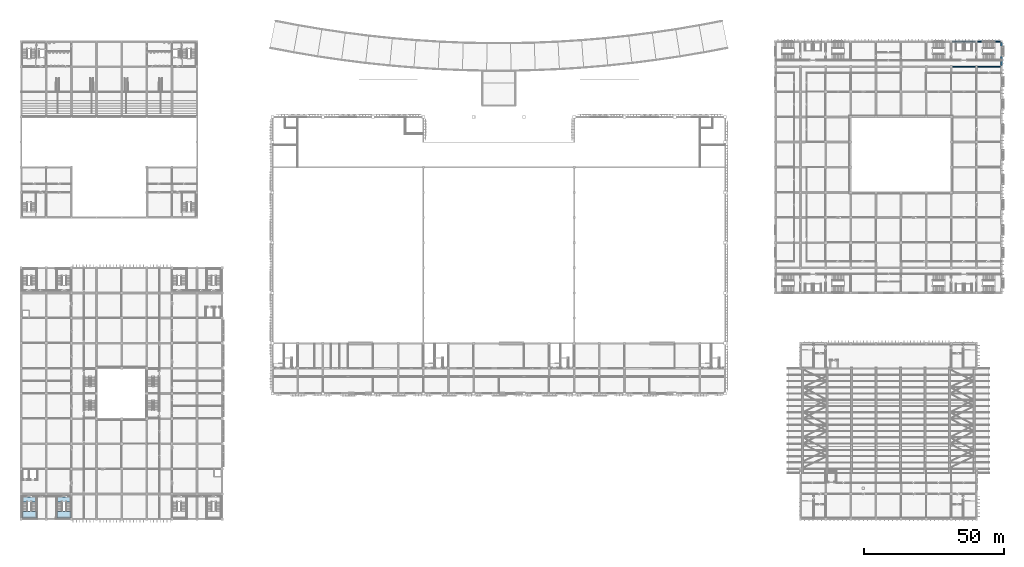
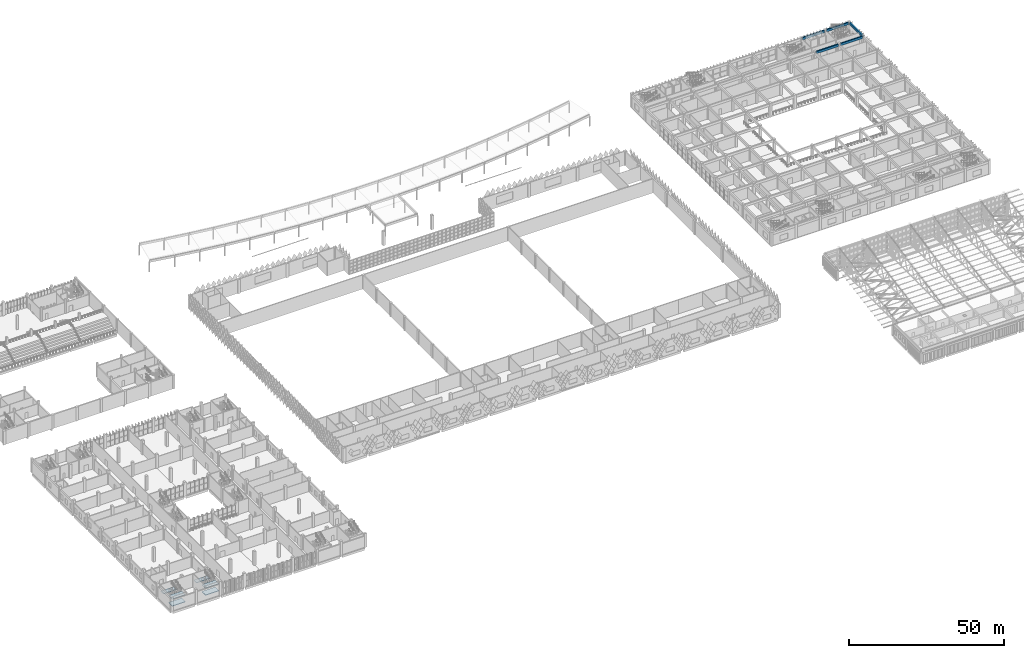
# One storey, part 84 of 185: 6 slabs, 5 beams, 2 elements without a shape of their own.
"""IFC4 building model written with IfcOpenShell, lengths in metres."""

from ifc_helpers import new_model, si_unit, direction, frame, origin, origin_2d, place, context, subcontext, project, spatial, polyline, rectangle, outline, extrude, material, layer, layer_set, material_profile, profile_set, type_object, element, aggregate, save


model = new_model("IFC4")

# Units and contexts
model_context = context("Model", 3, precision=1e-05, world=origin(), true_north=direction((0.0, 1.0)))
body_context = subcontext(model_context, "Body", "Model", "MODEL_VIEW")
ifc_project = project(units=[si_unit("LENGTHUNIT", "METRE"), si_unit("AREAUNIT", "SQUARE_METRE"), si_unit("VOLUMEUNIT", "CUBIC_METRE"), si_unit("PLANEANGLEUNIT", "RADIAN"), si_unit("MASSUNIT", "GRAM", prefix="KILO")], contexts=[model_context])

# Site, building, storey
site_placement = place(None, origin())
site = spatial("IfcSite", under=ifc_project, at=site_placement, CompositionType="ELEMENT")
building_placement = place(site_placement, origin())
building = spatial("IfcBuilding", under=site, at=building_placement, Name="Opaline Strait Convention Centre", CompositionType="ELEMENT")
storey_placement = place(building_placement, frame((0.0, 0.0, 6.0)))
storey = spatial("IfcBuildingStorey", under=building, at=storey_placement, Name="L01", CompositionType="ELEMENT", Elevation=6.0)

# Beams
ifc_material_1 = material(Name="Concrete C35", Category="concrete")
ifc_material_profile_1 = material_profile(ifc_material_1, rectangle(XDim=0.449951171875, YDim=0.89990234375, at=origin_2d()), Name="RC 450x900")
ifc_profile_set_1 = profile_set([ifc_material_profile_1], Name="Concrete C35")
beam_type_1 = type_object("IfcBeamType", Name="RC beam 450x900 C35", PredefinedType="BEAM", material=ifc_profile_set_1)
for number, where, z_axis, x_axis, name in (
    (1, (342.39990234375, 171.0, 4.77001953125), (1.0, 0.0, 0.0), (0.0, 1.0, 0.0), "XB1 L01 39/V-40/V"),
    (2, (351.39990234375, 171.0, 4.77001953125), (1.0, 0.0, 0.0), (0.0, 1.0, 0.0), "XB1 L01 40/V-41/V"),
):
    element("IfcBeam", number, at=place(storey_placement, frame(where, z_axis=z_axis, x_axis=x_axis)), inside=storey, type_object=beam_type_1, Name=name, PredefinedType="BEAM", context=body_context, shape_type="SweptSolid", body=[
        extrude(rectangle(XDim=0.449951171875, YDim=0.89990234375, at=origin_2d()), origin(), (0.0, 0.0, 1.0), 8.2001953125),
    ])
ifc_material_profile_2 = material_profile(ifc_material_1, rectangle(XDim=0.5, YDim=0.89990234375, at=origin_2d()), Name="RC 500x900")
ifc_profile_set_2 = profile_set([ifc_material_profile_2], Name="Concrete C35")
beam_type_2 = type_object("IfcBeamType", Name="RC edge beam 500x900 C35", PredefinedType="BEAM", material=ifc_profile_set_2)
for number, where, z_axis, x_axis, name in (
    (3, (342.39990234375, 180.0, 4.77001953125), (1.0, 0.0, 0.0), (0.0, 1.0, 0.0), "MRB2 L01 39/W-40/W"),
    (4, (351.39990234375, 180.0, 4.77001953125), (1.0, 0.0, 0.0), (0.0, 1.0, 0.0), "MRB2 L01 40/W-41/W"),
    (5, (360.0, 171.39990234375, 4.77001953125), (0.0, 1.0, 0.0), (-1.0, 0.0, 0.0), "MRB2 L01 41/V-41/W"),
):
    element("IfcBeam", number, at=place(storey_placement, frame(where, z_axis=z_axis, x_axis=x_axis)), inside=storey, type_object=beam_type_2, Name=name, PredefinedType="BEAM", context=body_context, shape_type="SweptSolid", body=[
        extrude(rectangle(XDim=0.5, YDim=0.89990234375, at=origin_2d()), origin(), (0.0, 0.0, 1.0), 8.2001953125),
    ])

# Stair, slabs
ifc_material_2 = material(Name="Concrete C40", Category="concrete")
stair_type = type_object("IfcStairType", Name="Exit stair two flights 1800 C40", PredefinedType="HALF_TURN_STAIR", material=ifc_material_2)
stair_1_placement = place(storey_placement, origin())
stair_1 = element("IfcStair", 6, at=stair_1_placement, inside=storey, type_object=stair_type, Name="L01 SWA", ObjectType="RST1", PredefinedType="HALF_TURN_STAIR")
ifc_layer = layer(ifc_material_2, 0.199951171875)
ifc_layer_set = layer_set([ifc_layer], Name="Concrete C40")
slab_type = type_object("IfcSlabType", Name="Stair landing 200 C40", PredefinedType="LANDING", material=ifc_layer_set)
slab_1_placement = place(storey_placement, frame((0.0, 0.0, 1.175048828125)))
slab_1 = element("IfcSlab", 7, at=slab_1_placement, type_object=slab_type, Name="SWA landing 1", ObjectType="RSL1", PredefinedType="LANDING", context=body_context, shape_type="SweptSolid", body=[
    extrude(outline(polyline([(9.5, 11.840087890625), (9.5, 9.5), (14.449951171875, 9.5), (14.449951171875, 11.840087890625), (9.5, 11.840087890625)])), origin(), (0.0, 0.0, 1.0), 0.199951171875),
])
slab_2_placement = place(storey_placement, frame((0.0, 0.0, 2.550048828125)))
slab_2 = element("IfcSlab", 8, at=slab_2_placement, type_object=slab_type, Name="SWA landing 2", ObjectType="RSL1", PredefinedType="LANDING", context=body_context, shape_type="SweptSolid", body=[
    extrude(outline(polyline([(9.5, 17.0), (9.5, 15.199951171875), (14.449951171875, 15.199951171875), (14.449951171875, 17.0), (9.5, 17.0)])), origin(), (0.0, 0.0, 1.0), 0.199951171875),
])
slab_3_placement = place(storey_placement, frame((0.0, 0.0, 3.925048828125)))
slab_3 = element("IfcSlab", 9, at=slab_3_placement, type_object=slab_type, Name="SWA landing 3", ObjectType="RSL1", PredefinedType="LANDING", context=body_context, shape_type="SweptSolid", body=[
    extrude(outline(polyline([(9.5, 11.840087890625), (9.5, 9.5), (14.449951171875, 9.5), (14.449951171875, 11.840087890625), (9.5, 11.840087890625)])), origin(), (0.0, 0.0, 1.0), 0.199951171875),
])
aggregate(stair_1, [slab_1, slab_2, slab_3])

stair_2_placement = place(storey_placement, origin())
stair_2 = element("IfcStair", 10, at=stair_2_placement, inside=storey, type_object=stair_type, Name="L01 SWB", ObjectType="RST1", PredefinedType="HALF_TURN_STAIR")
slab_4_placement = place(storey_placement, frame((0.0, 0.0, 1.175048828125)))
slab_4 = element("IfcSlab", 11, at=slab_4_placement, type_object=slab_type, Name="SWB landing 1", ObjectType="RSL1", PredefinedType="LANDING", context=body_context, shape_type="SweptSolid", body=[
    extrude(outline(polyline([(21.89990234375, 11.840087890625), (21.89990234375, 9.5), (26.85009765625, 9.5), (26.85009765625, 11.840087890625), (21.89990234375, 11.840087890625)])), origin(), (0.0, 0.0, 1.0), 0.199951171875),
])
slab_5_placement = place(storey_placement, frame((0.0, 0.0, 2.550048828125)))
slab_5 = element("IfcSlab", 12, at=slab_5_placement, type_object=slab_type, Name="SWB landing 2", ObjectType="RSL1", PredefinedType="LANDING", context=body_context, shape_type="SweptSolid", body=[
    extrude(outline(polyline([(21.89990234375, 17.0), (21.89990234375, 15.199951171875), (26.85009765625, 15.199951171875), (26.85009765625, 17.0), (21.89990234375, 17.0)])), origin(), (0.0, 0.0, 1.0), 0.199951171875),
])
slab_6_placement = place(storey_placement, frame((0.0, 0.0, 3.925048828125)))
slab_6 = element("IfcSlab", 13, at=slab_6_placement, type_object=slab_type, Name="SWB landing 3", ObjectType="RSL1", PredefinedType="LANDING", context=body_context, shape_type="SweptSolid", body=[
    extrude(outline(polyline([(21.89990234375, 11.840087890625), (21.89990234375, 9.5), (26.85009765625, 9.5), (26.85009765625, 11.840087890625), (21.89990234375, 11.840087890625)])), origin(), (0.0, 0.0, 1.0), 0.199951171875),
])
aggregate(stair_2, [slab_4, slab_5, slab_6])

save(model, "model.ifc")
